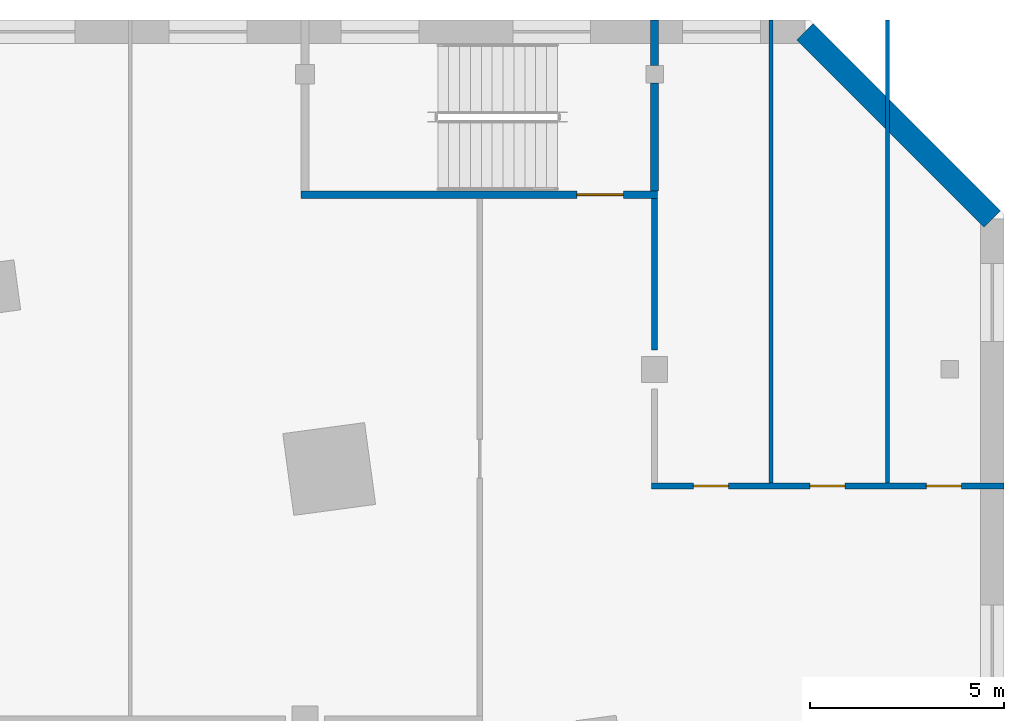
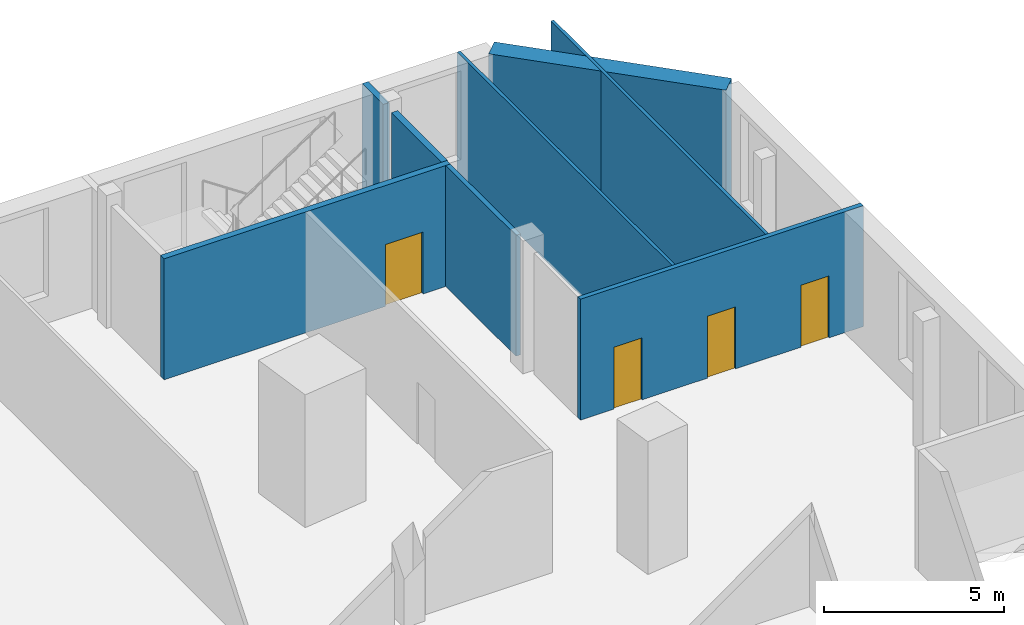
# One storey, part 13 of 20: 8 walls, 4 doors, 4 openings.
"""IFC4 building model written with IfcOpenShell, lengths in metres."""

from ifc_helpers import new_model, si_unit, direction, frame, frame_2d, origin, place, context, subcontext, project, spatial, rectangle, extrude, material, layer, layer_set, type_object, element, fill, save


model = new_model("IFC4")

# Units and contexts
model_context = context("Model", 3, precision=1e-05, world=origin(), true_north=direction((0.0, 1.0)))
body_context = subcontext(model_context, "Body", "Model", "MODEL_VIEW")
ifc_project = project(units=[si_unit("LENGTHUNIT", "METRE"), si_unit("AREAUNIT", "SQUARE_METRE"), si_unit("VOLUMEUNIT", "CUBIC_METRE"), si_unit("PLANEANGLEUNIT", "RADIAN"), si_unit("MASSUNIT", "GRAM", prefix="KILO")], contexts=[model_context])

# Site, building, storey
site_placement = place(None, origin())
site = spatial("IfcSite", under=ifc_project, at=site_placement, CompositionType="ELEMENT")
building_placement = place(site_placement, origin())
building = spatial("IfcBuilding", under=site, at=building_placement, Name="Dilmun Exchange Tower", CompositionType="ELEMENT")
storey_placement = place(building_placement, frame((0.0, 0.0, 9.0)))
storey = spatial("IfcBuildingStorey", under=building, at=storey_placement, Name="L02", CompositionType="ELEMENT", Elevation=9.0)

# Wall, openings, doors
ifc_material_1 = material(Name="Fire partition EI 60 150 gypsum")
ifc_layer_1 = layer(ifc_material_1, 0.14990234375)
ifc_layer_set_1 = layer_set([ifc_layer_1], Name="Fire partition EI 60 150 gypsum")
wall_type_1 = type_object("IfcWallType", Name="Fire partition EI 60 150 gypsum", PredefinedType="PARTITIONING", material=ifc_layer_set_1)
wall_1_placement = place(storey_placement, frame((26.925048828125, 24.0, 0.0), z_axis=(0.0, 0.0, 1.0), x_axis=(1.0, 0.0, 0.0)))
wall_1 = element("IfcWall", 1, at=wall_1_placement, inside=storey, type_object=wall_type_1, Name="L02 partition", PredefinedType="PARTITIONING", context=body_context, shape_type="SweptSolid", body=[
    extrude(rectangle(XDim=9.074951171875, YDim=0.14990234375, at=frame_2d((4.53759765625, 0.0))), origin(), (0.0, 0.0, 1.0), 4.10009765625),
])
opening_1_placement = place(wall_1_placement, frame((1.074951171875, 0.0, 0.0)))
opening_1 = element("IfcOpeningElement", 2, at=opening_1_placement, cuts=wall_1, Name="Opening L02-D005", PredefinedType="OPENING", context=body_context, shape_type="SweptSolid", body=[
    extrude(rectangle(XDim=0.89990234375, YDim=2.10009765625, at=frame_2d((0.449951171875, 1.050048828125))), frame((0.0, 0.0849609375, 0.0), z_axis=(0.0, -1.0, 0.0), x_axis=(1.0, 0.0, 0.0)), (0.0, 0.0, 1.0), 0.169921875),
])
opening_2_placement = place(wall_1_placement, frame((4.074951171875, 0.0, 0.0)))
opening_2 = element("IfcOpeningElement", 3, at=opening_2_placement, cuts=wall_1, Name="Opening L02-D006", PredefinedType="OPENING", context=body_context, shape_type="SweptSolid", body=[
    extrude(rectangle(XDim=0.89990234375, YDim=2.10009765625, at=frame_2d((0.449951171875, 1.050048828125))), frame((0.0, 0.0849609375, 0.0), z_axis=(0.0, -1.0, 0.0), x_axis=(1.0, 0.0, 0.0)), (0.0, 0.0, 1.0), 0.169921875),
])
opening_3_placement = place(wall_1_placement, frame((7.074951171875, 0.0, 0.0)))
opening_3 = element("IfcOpeningElement", 4, at=opening_3_placement, cuts=wall_1, Name="Opening L02-D007", PredefinedType="OPENING", context=body_context, shape_type="SweptSolid", body=[
    extrude(rectangle(XDim=0.89990234375, YDim=2.10009765625, at=frame_2d((0.449951171875, 1.050048828125))), frame((0.0, 0.0849609375, 0.0), z_axis=(0.0, -1.0, 0.0), x_axis=(1.0, 0.0, 0.0)), (0.0, 0.0, 1.0), 0.169921875),
])
ifc_material_2 = material(Name="Door 900 x 2100")
door_type_1 = type_object("IfcDoorType", Name="Door 900 x 2100", OperationType="SINGLE_SWING_LEFT", PredefinedType="DOOR", material=ifc_material_2)
door_1_placement = place(opening_1_placement, origin())
door_1 = element("IfcDoor", 5, at=door_1_placement, inside=storey, type_object=door_type_1, Name="L02 door L02-D005", OperationType="SINGLE_SWING_LEFT", OverallHeight=2.10009765625, OverallWidth=0.89990234375, PredefinedType="DOOR", context=body_context, shape_type="SweptSolid", body=[
    extrude(rectangle(XDim=0.89990234375, YDim=2.10009765625, at=frame_2d((0.449951171875, 1.050048828125))), frame((0.0, 0.02490234375, 0.0), z_axis=(0.0, -1.0, 0.0), x_axis=(1.0, 0.0, 0.0)), (0.0, 0.0, 1.0), 0.050048828125),
])
fill(opening_1, door_1)
door_2_placement = place(opening_2_placement, origin())
door_2 = element("IfcDoor", 6, at=door_2_placement, inside=storey, type_object=door_type_1, Name="L02 door L02-D006", OperationType="SINGLE_SWING_RIGHT", OverallHeight=2.10009765625, OverallWidth=0.89990234375, PredefinedType="DOOR", context=body_context, shape_type="SweptSolid", body=[
    extrude(rectangle(XDim=0.89990234375, YDim=2.10009765625, at=frame_2d((0.449951171875, 1.050048828125))), frame((0.0, 0.02490234375, 0.0), z_axis=(0.0, -1.0, 0.0), x_axis=(1.0, 0.0, 0.0)), (0.0, 0.0, 1.0), 0.050048828125),
])
fill(opening_2, door_2)
door_3_placement = place(opening_3_placement, origin())
door_3 = element("IfcDoor", 7, at=door_3_placement, inside=storey, type_object=door_type_1, Name="L02 door L02-D007", OperationType="SINGLE_SWING_LEFT", OverallHeight=2.10009765625, OverallWidth=0.89990234375, PredefinedType="DOOR", context=body_context, shape_type="SweptSolid", body=[
    extrude(rectangle(XDim=0.89990234375, YDim=2.10009765625, at=frame_2d((0.449951171875, 1.050048828125))), frame((0.0, 0.02490234375, 0.0), z_axis=(0.0, -1.0, 0.0), x_axis=(1.0, 0.0, 0.0)), (0.0, 0.0, 1.0), 0.050048828125),
])
fill(opening_3, door_3)

# Wall
wall_2_placement = place(storey_placement, frame((27.0, 27.5, 0.0), z_axis=(0.0, 0.0, 1.0), x_axis=(0.0, 1.0, 0.0)))
element("IfcWall", 8, at=wall_2_placement, inside=storey, type_object=wall_type_1, Name="L02 partition", PredefinedType="PARTITIONING", context=body_context, shape_type="SweptSolid", body=[
    extrude(rectangle(XDim=3.89990234375, YDim=0.14990234375, at=frame_2d((1.949951171875, 0.0))), origin(), (0.0, 0.0, 1.0), 4.10009765625),
])

# Wall, opening, door
ifc_material_3 = material(Name="Fire wall EI 120 200 blockwork", Category="masonry")
ifc_layer_2 = layer(ifc_material_3, 0.199951171875)
ifc_layer_set_2 = layer_set([ifc_layer_2], Name="Fire wall EI 120 200 blockwork")
wall_type_2 = type_object("IfcWallType", Name="Fire wall EI 120 200 blockwork", PredefinedType="PARTITIONING", material=ifc_layer_set_2)
wall_3_placement = place(storey_placement, frame((17.89990234375, 31.5, 0.0), z_axis=(0.0, 0.0, 1.0), x_axis=(1.0, 0.0, 0.0)))
wall_3 = element("IfcWall", 9, at=wall_3_placement, inside=storey, type_object=wall_type_2, Name="L02 stair wall", PredefinedType="PARTITIONING", context=body_context, shape_type="SweptSolid", body=[
    extrude(rectangle(XDim=9.175048828125, YDim=0.199951171875, at=frame_2d((4.58740234375, 0.0))), origin(), (0.0, 0.0, 1.0), 4.10009765625),
])
opening_4_placement = place(wall_3_placement, frame((7.10009765625, 0.0, 0.0)))
opening_4 = element("IfcOpeningElement", 10, at=opening_4_placement, cuts=wall_3, Name="Opening L02-D002", PredefinedType="OPENING", context=body_context, shape_type="SweptSolid", body=[
    extrude(rectangle(XDim=1.199951171875, YDim=2.10009765625, at=frame_2d((0.60009765625, 1.050048828125))), frame((0.0, 0.10986328125, 0.0), z_axis=(0.0, -1.0, 0.0), x_axis=(1.0, 0.0, 0.0)), (0.0, 0.0, 1.0), 0.219970703125),
])
ifc_material_4 = material(Name="Stair door FD90 1200 x 2100")
door_type_2 = type_object("IfcDoorType", Name="Stair door FD90 1200 x 2100", OperationType="SINGLE_SWING_LEFT", PredefinedType="DOOR", material=ifc_material_4)
door_4_placement = place(opening_4_placement, origin())
door_4 = element("IfcDoor", 11, at=door_4_placement, inside=storey, type_object=door_type_2, Name="L02 door L02-D002", OperationType="SINGLE_SWING_RIGHT", OverallHeight=2.10009765625, OverallWidth=1.199951171875, PredefinedType="DOOR", context=body_context, shape_type="SweptSolid", body=[
    extrude(rectangle(XDim=1.199951171875, YDim=2.10009765625, at=frame_2d((0.60009765625, 1.050048828125))), frame((0.0, 0.02490234375, 0.0), z_axis=(0.0, -1.0, 0.0), x_axis=(1.0, 0.0, 0.0)), (0.0, 0.0, 1.0), 0.050048828125),
])
fill(opening_4, door_4)

# Walls
wall_4_placement = place(storey_placement, frame((27.0, 31.60009765625, 0.0), z_axis=(0.0, 0.0, 1.0), x_axis=(0.0, 1.0, 0.0)))
element("IfcWall", 12, at=wall_4_placement, inside=storey, type_object=wall_type_2, Name="L02 stair wall", PredefinedType="PARTITIONING", context=body_context, shape_type="SweptSolid", body=[
    extrude(rectangle(XDim=2.77490234375, YDim=0.199951171875, at=frame_2d((1.387451171875, 0.0))), origin(), (0.0, 0.0, 1.0), 4.10009765625),
])
wall_5_placement = place(storey_placement, frame((27.0, 34.824951171875, 0.0), z_axis=(0.0, 0.0, 1.0), x_axis=(0.0, 1.0, 0.0)))
element("IfcWall", 13, at=wall_5_placement, inside=storey, type_object=wall_type_2, Name="L02 stair wall", PredefinedType="PARTITIONING", context=body_context, shape_type="SweptSolid", body=[
    extrude(rectangle(XDim=1.175048828125, YDim=0.199951171875, at=frame_2d((0.58740234375, 0.0))), origin(), (0.0, 0.0, 1.0), 4.10009765625),
])
ifc_material_5 = material(Name="Partition 100 gypsum")
ifc_layer_3 = layer(ifc_material_5, 0.10009765625)
ifc_layer_set_3 = layer_set([ifc_layer_3], Name="Partition 100 gypsum")
wall_type_3 = type_object("IfcWallType", Name="Partition 100 gypsum", PredefinedType="PARTITIONING", material=ifc_layer_set_3)
for number, where, z_axis, x_axis, name in (
    (14, (30.0, 24.074951171875, 0.0), (0.0, 0.0, 1.0), (0.0, 1.0, 0.0), "L02 partition"),
    (15, (33.0, 24.074951171875, 0.0), (0.0, 0.0, 1.0), (0.0, 1.0, 0.0), "L02 partition"),
):
    element("IfcWall", number, at=place(storey_placement, frame(where, z_axis=z_axis, x_axis=x_axis)), inside=storey, type_object=wall_type_3, Name=name, PredefinedType="PARTITIONING", context=body_context, shape_type="SweptSolid", body=[
        extrude(rectangle(XDim=11.925048828125, YDim=0.10009765625, at=frame_2d((5.96240234375, 0.0))), origin(), (0.0, 0.0, 1.0), 4.10009765625),
    ])
ifc_material_6 = material(Name="Precast concrete C50/60", Category="concrete")
ifc_layer_4 = layer(ifc_material_6, 0.60009765625)
ifc_layer_set_4 = layer_set([ifc_layer_4], Name="Precast concrete C50/60")
wall_type_4 = type_object("IfcWallType", Name="Precast stone-clad wall 600", PredefinedType="STANDARD", material=ifc_layer_set_4)
wall_6_placement = place(storey_placement, frame((35.699951171875, 30.875732421875, 0.0), z_axis=(0.0, 0.0, 1.0), x_axis=(-0.707106781187, 0.707106781187, 0.0)))
element("IfcWall", 16, at=wall_6_placement, inside=storey, type_object=wall_type_4, Name="Facade wall L02-03-0", PredefinedType="STANDARD", context=body_context, shape_type="SweptSolid", body=[
    extrude(rectangle(XDim=6.822509765625, YDim=0.60009765625, at=frame_2d((3.4111328125, 0.0))), origin(), (0.0, 0.0, 1.0), 4.10009765625),
])

save(model, "model.ifc")
